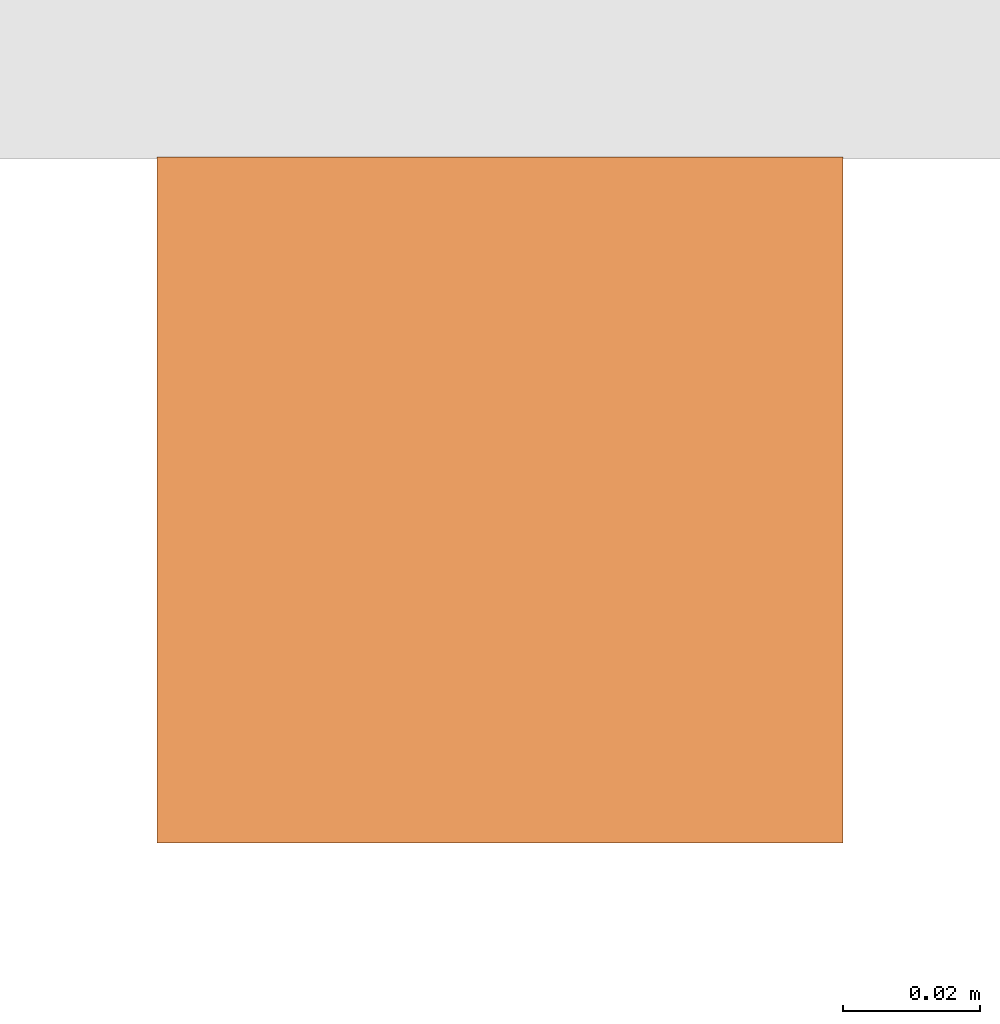
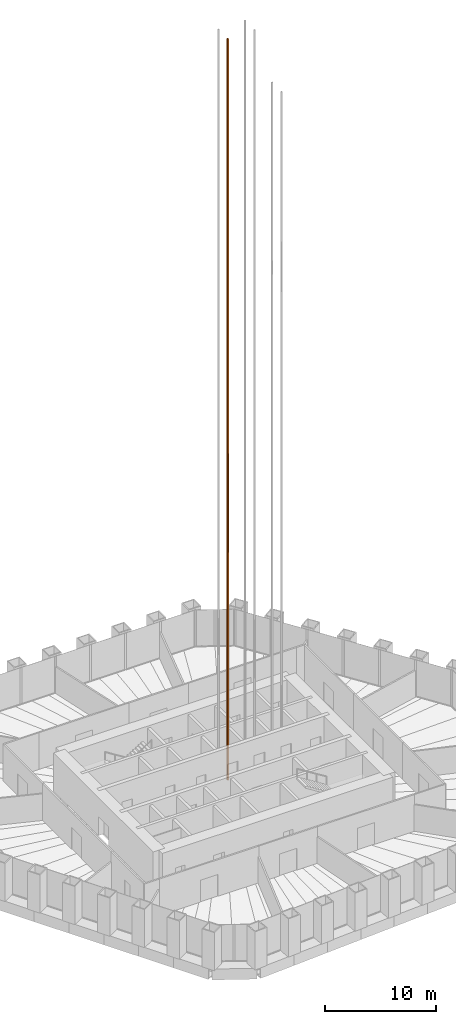
# One storey, part 15 of 20: 1 proxy.
"""IFC4 building model written with IfcOpenShell, lengths in metres."""

import ifcopenshell
import ifcopenshell.guid

model = None  # the IFC model being written
_history = None  # IfcOwnerHistory: only IFC2X3 demands one
_inside = {}  # id of a spatial element -> (the spatial element, [elements in it])
_under = {}  # id of a project, library or spatial element -> (it, [spatial elements below it])
_declared = {}  # id of a project -> (the project, [libraries it declares])
_typed = {}  # id of a type object -> (the type object, [elements of that type])
_made_of = {}  # id of a material, layer set ... -> (it, [elements and type objects made of it])


def new_model(schema):
    """Start an empty IFC model of exactly this schema.

    Asked for "IFC4X3", IfcOpenShell would pick the latest addendum, in which some entities
    have other attributes; the version numbers below select the first issue.
    IFC2X3 requires an IfcOwnerHistory on every rooted entity: one is made here for all.
    """
    global model, _history
    if schema == "IFC4X3":
        model = ifcopenshell.file(schema_version=(4, 3, 0, 0))
    else:
        model = ifcopenshell.file(schema=schema)
    _inside.clear()
    _under.clear()
    _declared.clear()
    _typed.clear()
    _made_of.clear()
    _history = None
    if model.schema == "IFC2X3":
        org = make("IfcOrganization", Name="unknown")
        user = make(
            "IfcPersonAndOrganization",
            ThePerson=make("IfcPerson", FamilyName="unknown"),
            TheOrganization=org,
        )
        app = make(
            "IfcApplication",
            ApplicationDeveloper=org,
            Version="unknown",
            ApplicationFullName="unknown",
            ApplicationIdentifier="unknown",
        )
        _history = make(
            "IfcOwnerHistory",
            OwningUser=user,
            OwningApplication=app,
            ChangeAction="ADDED",
            CreationDate=0,
        )
    return model


def make(cls, **values):
    """One entity of the class cls with the attributes given. An attribute that is None is left unset."""
    return model.create_entity(
        cls, **{name: value for name, value in values.items() if value is not None}
    )


def rooted(cls, **values):
    """An entity with a GlobalId (a new one), such as an element, a storey or a relation."""
    return make(cls, GlobalId=ifcopenshell.guid.new(), OwnerHistory=_history, **values)


def si_unit(unit_type, name, prefix=None):
    """IfcSIUnit, for example si_unit("LENGTHUNIT", "METRE", prefix="MILLI")."""
    return make("IfcSIUnit", UnitType=unit_type, Prefix=prefix, Name=name)


def assignment(units):
    """IfcUnitAssignment: the units of a project."""
    return None if units is None else make("IfcUnitAssignment", Units=units)


def point(xyz):
    """IfcCartesianPoint."""
    return None if xyz is None else make("IfcCartesianPoint", Coordinates=xyz)


def direction(xyz):
    """IfcDirection."""
    return None if xyz is None else make("IfcDirection", DirectionRatios=xyz)


def frame(location, z_axis=None, x_axis=None):
    """IfcAxis2Placement3D, a coordinate frame: its origin and axes. An axis left out is left unset."""
    return make(
        "IfcAxis2Placement3D",
        Location=point(location),
        Axis=direction(z_axis),
        RefDirection=direction(x_axis),
    )


def frame_2d(location, x_axis=None):
    """IfcAxis2Placement2D, a coordinate frame in the plane: its origin and x axis."""
    return make(
        "IfcAxis2Placement2D", Location=point(location), RefDirection=direction(x_axis)
    )


def origin():
    """The frame at (0, 0, 0) with its axes left unset."""
    return frame((0.0, 0.0, 0.0))


def origin_2d():
    """The frame at (0, 0) in the plane with its x axis left unset."""
    return frame_2d((0.0, 0.0))


def place(relative_to, where):
    """IfcLocalPlacement: puts the frame where relative to a parent placement (None: the world)."""
    return make(
        "IfcLocalPlacement", PlacementRelTo=relative_to, RelativePlacement=where
    )


def context(
    kind, dimensions, precision=None, world=None, true_north=None, identifier=None
):
    """IfcGeometricRepresentationContext, for example the 3D "Model" context."""
    return make(
        "IfcGeometricRepresentationContext",
        ContextIdentifier=identifier,
        ContextType=kind,
        CoordinateSpaceDimension=dimensions,
        Precision=precision,
        WorldCoordinateSystem=world,
        TrueNorth=true_north,
    )


def subcontext(parent, identifier, kind, view, scale=None):
    """IfcGeometricRepresentationSubContext, for example "Body" below "Model"."""
    return make(
        "IfcGeometricRepresentationSubContext",
        ContextIdentifier=identifier,
        ContextType=kind,
        ParentContext=parent,
        TargetScale=scale,
        TargetView=view,
    )


def project(units=None, contexts=None):
    """IfcProject with its units and contexts."""
    return rooted(
        "IfcProject",
        Name="project",
        RepresentationContexts=contexts,
        UnitsInContext=assignment(units),
    )


def spatial(cls, under=None, at=None, **own):
    """A site, building, storey or space (cls), placed at a placement, below another one or the project."""
    s = rooted(cls, ObjectPlacement=at, **own)
    if under is not None:
        _under.setdefault(under.id(), (under, []))[1].append(s)
    return s


def profile(cls, at=None, kind="AREA", **sizes):
    """A parametric profile (cls). Its sizes go by their IFC names, for example OverallWidth=200.0."""
    return make(cls, ProfileType=kind, Position=at, **sizes)


def rectangle(**sizes):
    """IfcRectangleProfileDef."""
    return profile("IfcRectangleProfileDef", **sizes)


def extrude(swept, where, along, depth):
    """IfcExtrudedAreaSolid: the profile swept, set in the frame where, extruded along a direction by depth."""
    return make(
        "IfcExtrudedAreaSolid",
        SweptArea=swept,
        Position=where,
        ExtrudedDirection=direction(along),
        Depth=depth,
    )


def shape(context_of_items, identifier, shape_type, items):
    """IfcShapeRepresentation: the items that make up one representation, for example the "Body"."""
    return make(
        "IfcShapeRepresentation",
        ContextOfItems=context_of_items,
        RepresentationIdentifier=identifier,
        RepresentationType=shape_type,
        Items=items,
    )


def material(Name=None, Category=None):
    """IfcMaterial."""
    return make("IfcMaterial", Name=Name, Category=Category)


def made_of(thing, what):
    """Note that an element or type object is made of a material, layer set ...; save() writes the relation."""
    if what is not None:
        _made_of.setdefault(what.id(), (what, []))[1].append(thing)
    return thing


def type_object(cls, material=None, **own):
    """A type object (cls), such as IfcWallType, which elements share."""
    return made_of(rooted(cls, **own), material)


def element(
    cls,
    number,
    at=None,
    inside=None,
    cuts=None,
    type_object=None,
    material=None,
    context=None,
    identifier="Body",
    shape_type=None,
    held_by="IfcProductDefinitionShape",
    body=None,
    shapes=None,
    **own,
):
    """One element of the class cls, such as IfcWall. Its Tag is "e" and its number.

    at: its placement. inside: the storey or other place that contains it. cuts: it is an
    opening in that element (IfcRelVoidsElement). A single representation is given by context,
    identifier, shape_type and body (its items); several are given by shapes. held_by: the class
    of the entity that holds the representations. save() writes the other relations.
    """
    e = rooted(cls, Tag="e%d" % number, ObjectPlacement=at, **own)
    if body is not None:
        shapes = [shape(context, identifier, shape_type, body)]
    if shapes is not None:
        e.Representation = make(held_by, Representations=shapes)
    if inside is not None:
        _inside.setdefault(inside.id(), (inside, []))[1].append(e)
    if cuts is not None:
        rooted(
            "IfcRelVoidsElement", RelatingBuildingElement=cuts, RelatedOpeningElement=e
        )
    if type_object is not None:
        _typed.setdefault(type_object.id(), (type_object, []))[1].append(e)
    return made_of(e, material)


def aggregate(whole, parts):
    """IfcRelAggregates: a whole, such as a stair, and the parts it consists of."""
    return rooted("IfcRelAggregates", RelatingObject=whole, RelatedObjects=parts)


def save(model, path):
    """Write the relations noted so far, then the file.

    IfcRelAggregates (storeys below a building ...), IfcRelContainedInSpatialStructure (elements
    in a storey), IfcRelDefinesByType, IfcRelAssociatesMaterial and IfcRelDeclares: one each for
    every whole, place, type object, material and project.
    """
    for whole, parts in _under.values():
        aggregate(whole, parts)
    for where, things in _inside.values():
        rooted(
            "IfcRelContainedInSpatialStructure",
            RelatedElements=things,
            RelatingStructure=where,
        )
    for kind, things in _typed.values():
        rooted("IfcRelDefinesByType", RelatedObjects=things, RelatingType=kind)
    for what, things in _made_of.values():
        rooted("IfcRelAssociatesMaterial", RelatedObjects=things, RelatingMaterial=what)
    for by, libraries in _declared.values():
        rooted("IfcRelDeclares", RelatingContext=by, RelatedDefinitions=libraries)
    model.write(path)


model = new_model("IFC4")

# Units and contexts
model_context = context("Model", 3, precision=1e-05, world=origin(), true_north=direction((0.0, 1.0)))
body_context = subcontext(model_context, "Body", "Model", "MODEL_VIEW")
ifc_project = project(units=[si_unit("LENGTHUNIT", "METRE"), si_unit("AREAUNIT", "SQUARE_METRE"), si_unit("VOLUMEUNIT", "CUBIC_METRE"), si_unit("PLANEANGLEUNIT", "RADIAN"), si_unit("MASSUNIT", "GRAM", prefix="KILO")], contexts=[model_context])

# Site, building, storey
site_placement = place(None, origin())
site = spatial("IfcSite", under=ifc_project, at=site_placement, CompositionType="ELEMENT")
building_placement = place(site_placement, origin())
building = spatial("IfcBuilding", under=site, at=building_placement, Name="Qingtian Harvest Tower", CompositionType="ELEMENT")
storey_placement = place(building_placement, frame((0.0, 0.0, 180.39990234375)))
storey = spatial("IfcBuildingStorey", under=building, at=storey_placement, Name="L38", CompositionType="ELEMENT", Elevation=180.39990234375)

# Proxy
ifc_material = material(Name="Steel SN490B", Category="steel")
building_element_proxy_type = type_object("IfcBuildingElementProxyType", Name="Lift guide rail LR1", PredefinedType="NOTDEFINED", material=ifc_material)
proxy_placement = place(storey_placement, frame((1.89990234375, 2.675048828125, 0.0), z_axis=(0.0, 0.0, 1.0), x_axis=(1.0, 0.0, 0.0)))
element("IfcBuildingElementProxy", 1, at=proxy_placement, inside=storey, type_object=building_element_proxy_type, Name="Lift PLC1 guide rail 1", PredefinedType="NOTDEFINED", context=body_context, shape_type="SweptSolid", body=[
    extrude(rectangle(XDim=0.10009765625, YDim=0.10009765625, at=origin_2d()), origin(), (0.0, 0.0, 1.0), 81.60009765625),
])

save(model, "model.ifc")
